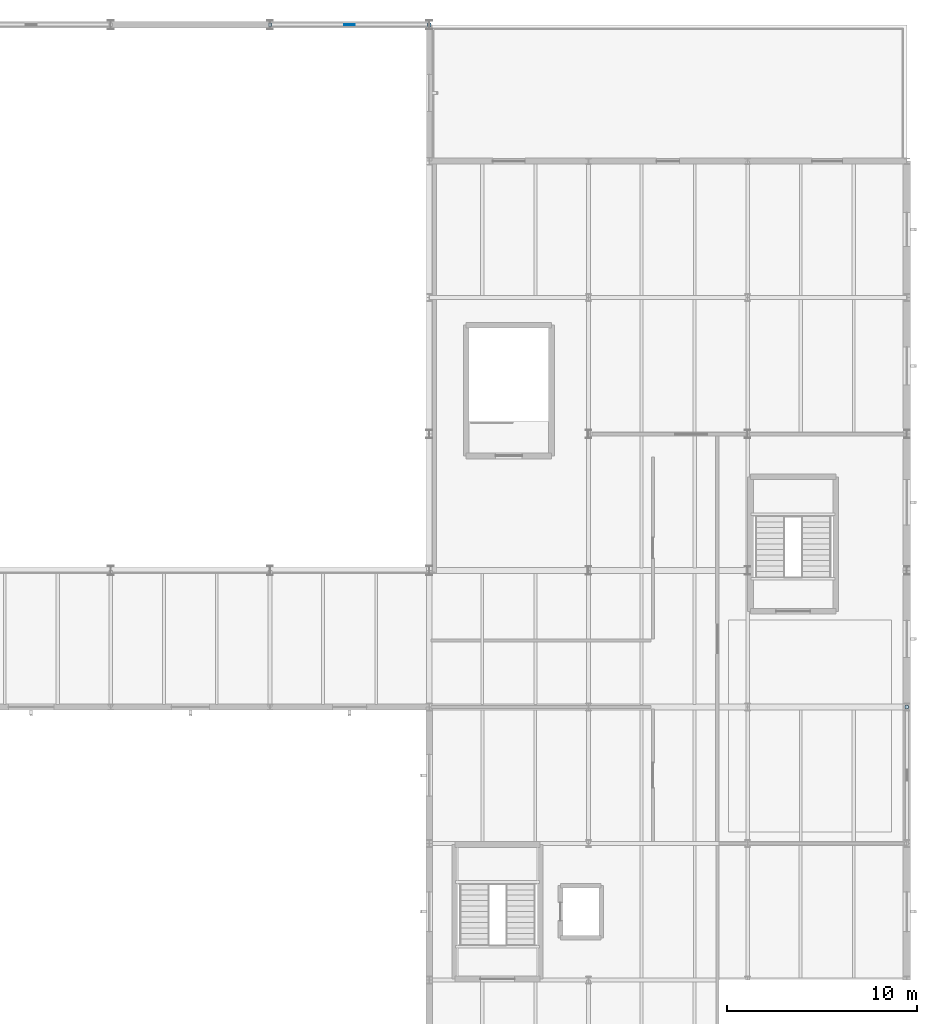
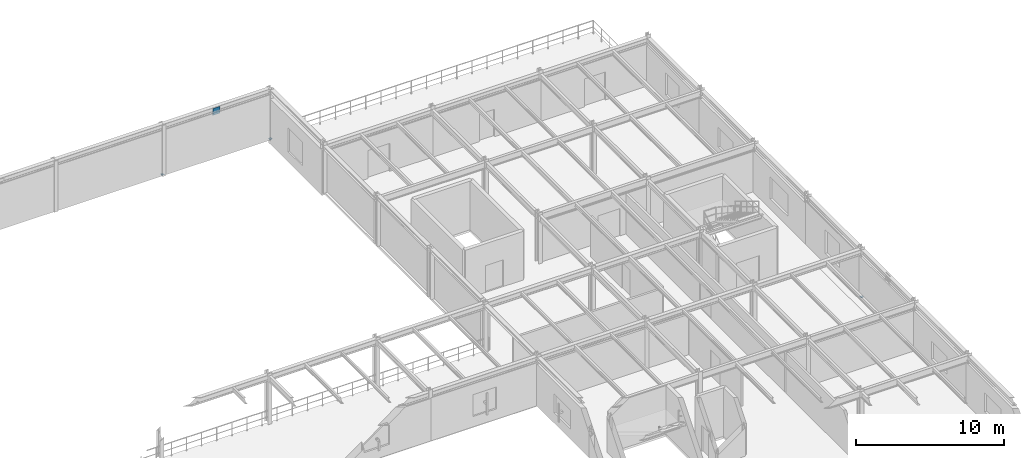
# One storey, part 62 of 109: 4 plates.
"""IFC4 building model written with IfcOpenShell, lengths in metres."""

from ifc_helpers import new_model, si_unit, derived_unit, direction, frame, origin, origin_2d, place, context, subcontext, project, spatial, rectangle, extrude, material, layer, layer_set, type_object, element, save


model = new_model("IFC4")

# Units and contexts
model_context = context("Model", 3, precision=1e-05, world=origin(), true_north=direction((0.0, 1.0)))
body_context = subcontext(model_context, "Body", "Model", "MODEL_VIEW")
ifc_project = project(units=[si_unit("LENGTHUNIT", "METRE"), si_unit("AREAUNIT", "SQUARE_METRE"), si_unit("VOLUMEUNIT", "CUBIC_METRE"), si_unit("PLANEANGLEUNIT", "RADIAN"), si_unit("MASSUNIT", "GRAM", prefix="KILO"), derived_unit("THERMALTRANSMITTANCEUNIT", [(si_unit("MASSUNIT", "GRAM", prefix="KILO"), 1), (si_unit("TIMEUNIT", "SECOND"), -3), (si_unit("THERMODYNAMICTEMPERATUREUNIT", "KELVIN"), -1)])], contexts=[model_context])

# Site, building, storey
site_placement = place(None, origin())
site = spatial("IfcSite", under=ifc_project, at=site_placement, CompositionType="ELEMENT")
building_placement = place(site_placement, origin())
building = spatial("IfcBuilding", under=site, at=building_placement, Name="Kharveza Railside Sports Centre", CompositionType="ELEMENT")
storey_placement = place(building_placement, frame((0.0, 0.0, 4.5)))
storey = spatial("IfcBuildingStorey", under=building, at=storey_placement, Name="L01", CompositionType="ELEMENT", Elevation=4.5)

# Plates
ifc_material = material(Name="Steel S355J2", Category="steel")
ifc_layer_1 = layer(ifc_material, 0.02001953125, Name="Steel S355J2")
ifc_layer_set_1 = layer_set([ifc_layer_1], Name="Steel S355J2")
plate_type_1 = type_object("IfcPlateType", Name="PL-EC10", PredefinedType="USERDEFINED", material=ifc_layer_set_1)
for number, where, z_axis, x_axis, name in (
    (1, (134.39990234375, 108.0, -0.010009765625), (0.0, 0.0, 1.0), (1.0, 0.0, 0.0), "PLT-EC-158"),
    (2, (142.800048828125, 108.0, -0.010009765625), (0.0, 0.0, 1.0), (1.0, 0.0, 0.0), "PLT-EC-159"),
    (3, (168.0, 72.0, -0.010009765625), (0.0, 0.0, 1.0), (1.0, 0.0, 0.0), "PLT-EC-175"),
):
    element("IfcPlate", number, at=place(storey_placement, frame(where, z_axis=z_axis, x_axis=x_axis)), inside=storey, type_object=plate_type_1, Name=name, ObjectType="END_CAP_PLATE", PredefinedType="USERDEFINED", context=body_context, shape_type="SweptSolid", body=[
        extrude(rectangle(XDim=0.179931640625, YDim=0.179931640625, at=origin_2d()), origin(), (0.0, 0.0, 1.0), 0.02001953125),
    ])
ifc_layer_2 = layer(ifc_material, 0.028076171875, Name="Steel S355J2")
ifc_layer_set_2 = layer_set([ifc_layer_2], Name="Steel S355J2")
plate_type_2 = type_object("IfcPlateType", Name="PL-GS05", PredefinedType="USERDEFINED", material=ifc_layer_set_2)
plate_placement = place(storey_placement, frame((138.60009765625, 108.0, 3.469970703125), z_axis=(0.0, 0.0, 1.0), x_axis=(1.0, 0.0, 0.0)))
element("IfcPlate", 4, at=plate_placement, inside=storey, type_object=plate_type_2, Name="PLT-GS-CHEV-008", ObjectType="GUSSET_PLATE", PredefinedType="USERDEFINED", context=body_context, shape_type="SweptSolid", body=[
    extrude(rectangle(XDim=0.56005859375, YDim=0.028076171875, at=origin_2d()), origin(), (0.0, 0.0, 1.0), 0.56005859375),
])

save(model, "model.ifc")
